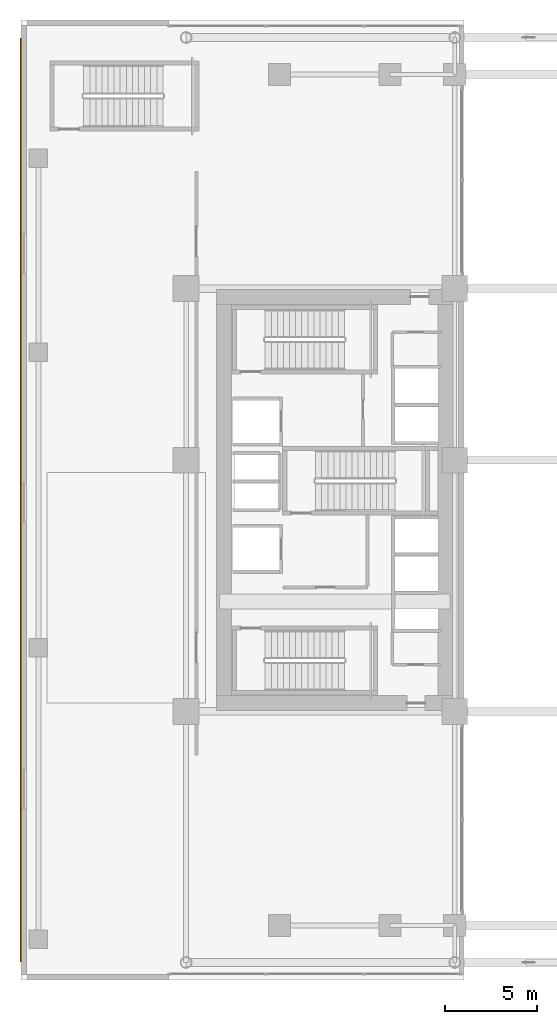
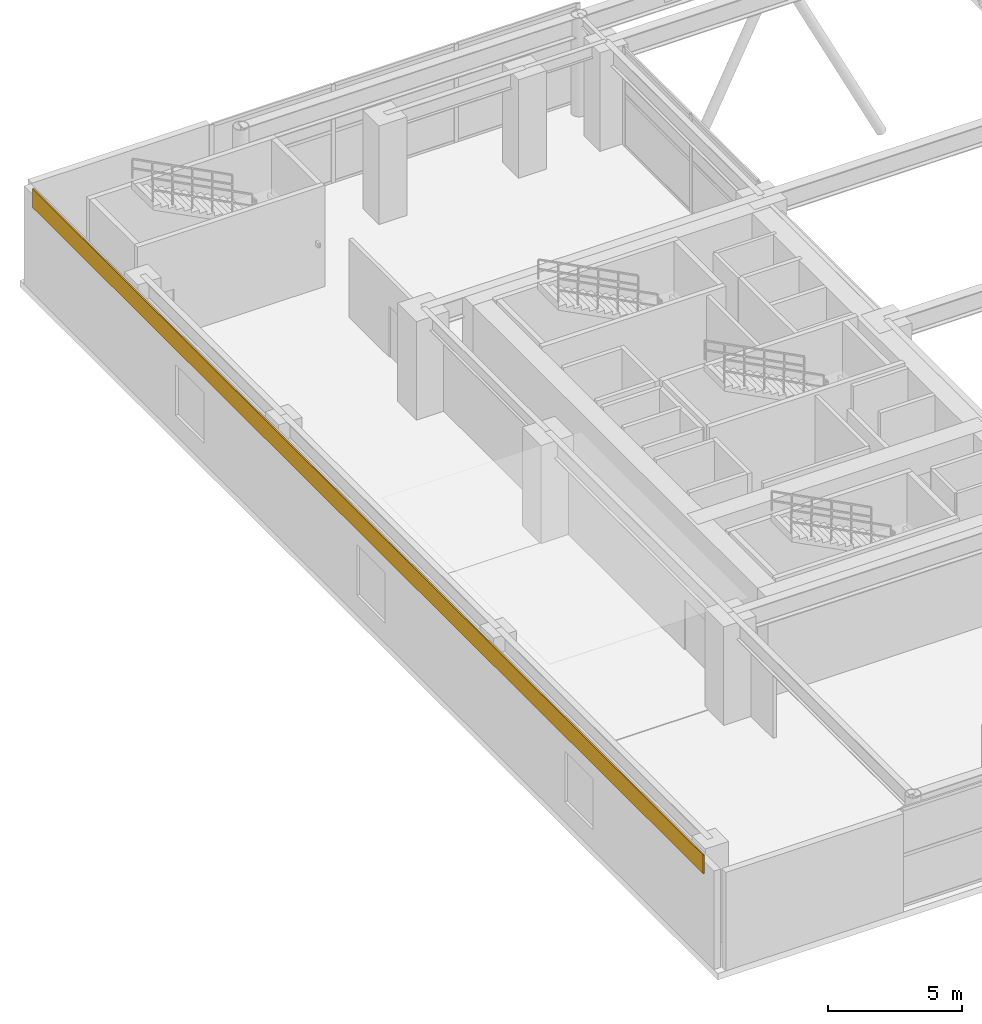
# One storey, part 27 of 30: 1 covering.
"""IFC4 building model written with IfcOpenShell, lengths in metres."""

from ifc_helpers import new_model, si_unit, direction, frame, origin, origin_2d, place, context, subcontext, project, spatial, rectangle, extrude, source, transform, mapped, material, layer, layer_set, type_object, element, save


model = new_model("IFC4")

# Units and contexts
model_context = context("Model", 3, precision=1e-05, world=origin(), true_north=direction((0.0, 1.0)))
body_context = subcontext(model_context, "Body", "Model", "MODEL_VIEW")
ifc_project = project(units=[si_unit("LENGTHUNIT", "METRE"), si_unit("AREAUNIT", "SQUARE_METRE"), si_unit("VOLUMEUNIT", "CUBIC_METRE"), si_unit("PLANEANGLEUNIT", "RADIAN"), si_unit("MASSUNIT", "GRAM", prefix="KILO")], contexts=[model_context])

# Site, building, storey
site_placement = place(None, origin())
site = spatial("IfcSite", under=ifc_project, at=site_placement, CompositionType="ELEMENT")
building_placement = place(site_placement, origin())
building = spatial("IfcBuilding", under=site, at=building_placement, Name="Ocotamira Hotel", CompositionType="ELEMENT")
storey_placement = place(building_placement, frame((0.0, 0.0, 19.199951171875)))
storey = spatial("IfcBuildingStorey", under=building, at=storey_placement, Name="L04", CompositionType="ELEMENT", Elevation=19.199951171875)

# Covering
ifc_material = material(Name="Pale-metal champagne aluminium rainscreen cladding", Category="aluminium")
ifc_layer = layer(ifc_material, 0.06005859375)
ifc_layer_set = layer_set([ifc_layer], Name="Pale-metal champagne aluminium rainscreen cladding")
covering_type = type_object("IfcCoveringType", Name="COV-CLAD-60", PredefinedType="CLADDING", material=ifc_layer_set)
shared_shape = source(origin(), body_context, "Body", "SweptSolid", [
    extrude(rectangle(XDim=0.06005859375, YDim=50.0, at=origin_2d()), origin(), (0.0, 0.0, 1.0), 0.85009765625),
])
covering_placement = place(storey_placement, frame((-0.02001953125, 26.0, 3.949951171875), z_axis=(0.0, 0.0, 1.0), x_axis=(1.0, 0.0, 0.0)))
element("IfcCovering", 1, at=covering_placement, inside=storey, type_object=covering_type, Name="L04 West Spandrel Cladding", PredefinedType="CLADDING", context=body_context, shape_type="MappedRepresentation", body=[
    mapped(shared_shape, transform((0.0, 0.0, 0.0), scale=1.0)),
])

save(model, "model.ifc")
